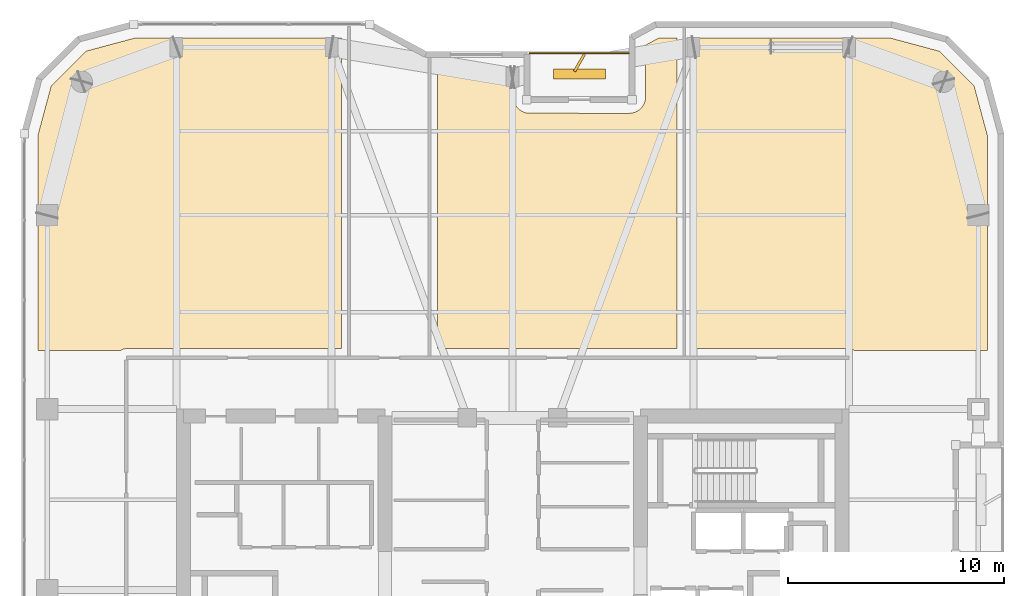
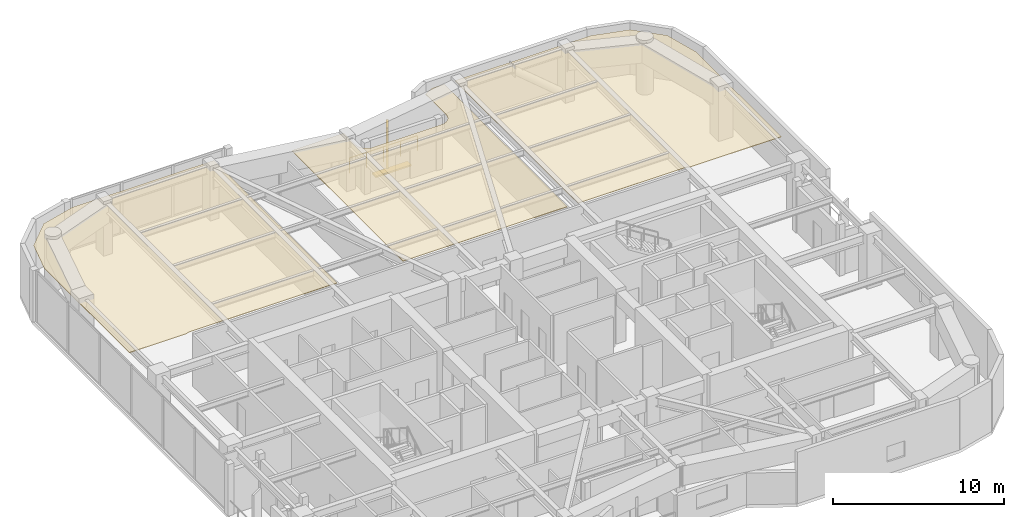
# One storey, part 21 of 21: 3 coverings, 2 shading devices, 1 railing.
"""IFC4 building model written with IfcOpenShell, lengths in metres."""

from ifc_helpers import new_model, si_unit, direction, frame, origin, origin_2d, place, context, subcontext, project, spatial, polyline, rectangle, outline, extrude, material, layer, layer_set, type_object, element, save


model = new_model("IFC4")

# Units and contexts
model_context = context("Model", 3, precision=1e-05, world=origin(), true_north=direction((0.0, 1.0)))
body_context = subcontext(model_context, "Body", "Model", "MODEL_VIEW")
ifc_project = project(units=[si_unit("LENGTHUNIT", "METRE"), si_unit("AREAUNIT", "SQUARE_METRE"), si_unit("VOLUMEUNIT", "CUBIC_METRE"), si_unit("PLANEANGLEUNIT", "RADIAN"), si_unit("MASSUNIT", "GRAM", prefix="KILO")], contexts=[model_context])

# Site, building, storey
site_placement = place(None, origin())
site = spatial("IfcSite", under=ifc_project, at=site_placement, CompositionType="ELEMENT")
building_placement = place(site_placement, origin())
building = spatial("IfcBuilding", under=site, at=building_placement, Name="Kiyonajd Concourse Tower", CompositionType="ELEMENT")
storey_placement = place(building_placement, frame((0.0, 0.0, 247.199951171875)))
storey = spatial("IfcBuildingStorey", under=building, at=storey_placement, Name="L62", CompositionType="ELEMENT", Elevation=247.199951171875)

# Coverings
ifc_material_1 = material(Name="Natural Oak Acoustic Timber Veneer", Category="wood")
ifc_layer = layer(ifc_material_1, 0.0400390625)
ifc_layer_set = layer_set([ifc_layer], Name="Natural Oak Acoustic Timber Veneer")
covering_type = type_object("IfcCoveringType", Name="CV-CLG-ACST", PredefinedType="CEILING", material=ifc_layer_set)
covering_1_placement = place(storey_placement, frame((0.0, 0.0, 3.5)))
element("IfcCovering", 1, at=covering_1_placement, inside=storey, type_object=covering_type, Name="L62-46 Room Acoustic Ceiling", PredefinedType="CEILING", context=body_context, shape_type="SweptSolid", body=[
    extrude(outline(polyline([(28.197998046875, 61.011962890625), (30.5009765625, 61.6298828125), (40.06005859375, 61.6298828125), (40.06005859375, 47.2099609375), (30.074951171875, 47.2099609375), (29.945068359375, 47.18994140625), (29.882080078125, 47.1640625), (29.826904296875, 47.1298828125), (25.969970703125, 47.1298828125), (25.969970703125, 57.09912109375), (26.587890625, 59.402099609375), (28.197998046875, 61.011962890625)])), origin(), (0.0, 0.0, 1.0), 0.0400390625),
])
covering_2_placement = place(storey_placement, frame((0.0, 0.0, 3.5)))
element("IfcCovering", 2, at=covering_2_placement, inside=storey, type_object=covering_type, Name="L62-48 Room Acoustic Ceiling", PredefinedType="CEILING", context=body_context, shape_type="SweptSolid", body=[
    extrude(outline(polyline([(48.0419921875, 58.76708984375), (48.069091796875, 58.659912109375), (48.10400390625, 58.572021484375), (48.16796875, 58.4609375), (48.26806640625, 58.343017578125), (48.361083984375, 58.26806640625), (48.49609375, 58.19189453125), (48.593017578125, 58.157958984375), (48.7080078125, 58.135986328125), (53.39990234375, 58.1298828125), (53.5419921875, 58.14306640625), (53.678955078125, 58.18310546875), (53.800048828125, 58.242919921875), (53.8720703125, 58.2919921875), (53.931884765625, 58.343017578125), (54.001953125, 58.419921875), (54.06201171875, 58.509033203125), (54.10302734375, 58.5859375), (54.131103515625, 58.659912109375), (54.157958984375, 58.76708984375), (54.16796875, 58.85888671875), (54.169921875, 61.2939453125), (54.7939453125, 61.6298828125), (55.6201171875, 61.6298828125), (55.6201171875, 47.2099609375), (44.510009765625, 47.2099609375), (44.510009765625, 60.22998046875), (48.030029296875, 60.22998046875), (48.031982421875, 58.85888671875), (48.0419921875, 58.76708984375)])), origin(), (0.0, 0.0, 1.0), 0.0400390625),
])
covering_3_placement = place(storey_placement, frame((0.0, 0.0, 3.5)))
element("IfcCovering", 3, at=covering_3_placement, inside=storey, type_object=covering_type, Name="L62-49 Room Acoustic Ceiling", PredefinedType="CEILING", context=body_context, shape_type="SweptSolid", body=[
    extrude(outline(polyline([(63.847900390625, 47.1298828125), (63.79296875, 47.1640625), (63.72998046875, 47.18994140625), (63.60009765625, 47.2099609375), (56.340087890625, 47.2099609375), (56.340087890625, 61.6298828125), (65.4990234375, 61.6298828125), (67.802001953125, 61.011962890625), (69.412109375, 59.402099609375), (70.030029296875, 57.09912109375), (70.030029296875, 47.1298828125), (63.847900390625, 47.1298828125)])), origin(), (0.0, 0.0, 1.0), 0.0400390625),
])

# Railing
ifc_material_2 = material(Name="Thermally Broken Anodised Aluminium", Category="aluminium")
railing_type = type_object("IfcRailingType", Name="RL-GRD-LOG", PredefinedType="GUARDRAIL", material=ifc_material_2)
railing_placement = place(storey_placement, frame((53.39990234375, 60.919921875, 0.0)))
element("IfcRailing", 4, at=railing_placement, inside=storey, type_object=railing_type, Name="L62 Engawa Loggia Perimeter Guard LOG-N", PredefinedType="GUARDRAIL", context=body_context, shape_type="SweptSolid", body=[
    extrude(rectangle(XDim=0.048095703125, YDim=0.048095703125, at=origin_2d()), frame((0.0, 0.0, 1.076171875), z_axis=(-1.0, 0.0, 0.0), x_axis=(0.0, -1.0, 0.0)), (0.0, 0.0, 1.0), 4.599853515625),
    extrude(rectangle(XDim=0.0419921875, YDim=0.0419921875, at=origin_2d()), origin(), (0.0, 0.0, 1.0), 1.052001953125),
    extrude(rectangle(XDim=0.0419921875, YDim=0.0419921875, at=origin_2d()), frame((-1.14990234375, 0.0, 0.0)), (0.0, 0.0, 1.0), 1.052001953125),
    extrude(rectangle(XDim=0.0419921875, YDim=0.0419921875, at=origin_2d()), frame((-2.2998046875, 0.0, 0.0)), (0.0, 0.0, 1.0), 1.052001953125),
    extrude(rectangle(XDim=0.0419921875, YDim=0.0419921875, at=origin_2d()), frame((-3.449951171875, 0.0, 0.0)), (0.0, 0.0, 1.0), 1.052001953125),
    extrude(rectangle(XDim=0.0419921875, YDim=0.0419921875, at=origin_2d()), frame((-4.599853515625, 0.0, 0.0)), (0.0, 0.0, 1.0), 1.052001953125),
])

# Shading devices
ifc_material_3 = material(Name="Precast concrete C50/60", Category="concrete")
shading_device_type_1 = type_object("IfcShadingDeviceType", Name="SH-FIN-900", PredefinedType="USERDEFINED", material=ifc_material_3)
shading_device_1_placement = place(storey_placement, frame((51.10009765625, 60.469970703125, 0.0), z_axis=(0.0, 0.0, 1.0), x_axis=(0.5, 0.866025403784, 0.0)))
element("IfcShadingDevice", 5, at=shading_device_1_placement, inside=storey, type_object=shading_device_type_1, Name="L62 Angled Koshi Solar Fin LOG-N", ObjectType="FIN", PredefinedType="USERDEFINED", context=body_context, shape_type="SweptSolid", body=[
    extrude(rectangle(XDim=0.89990234375, YDim=0.1201171875, at=origin_2d()), origin(), (0.0, 0.0, 1.0), 3.0),
])
shading_device_type_2 = type_object("IfcShadingDeviceType", Name="SH-LVR-600", PredefinedType="JALOUSIE", material=ifc_material_2)
shading_device_2_placement = place(storey_placement, frame((51.10009765625, 59.949951171875, 0.0), z_axis=(0.0, 0.0, 1.0), x_axis=(1.0, 0.0, 0.0)))
element("IfcShadingDevice", 6, at=shading_device_2_placement, inside=storey, type_object=shading_device_type_2, Name="L62 Loggia Threshold Louver LOG-N", PredefinedType="JALOUSIE", context=body_context, shape_type="SweptSolid", body=[
    extrude(rectangle(XDim=2.39990234375, YDim=0.449951171875, at=origin_2d()), origin(), (0.0, 0.0, 1.0), 0.10009765625),
])

save(model, "model.ifc")
